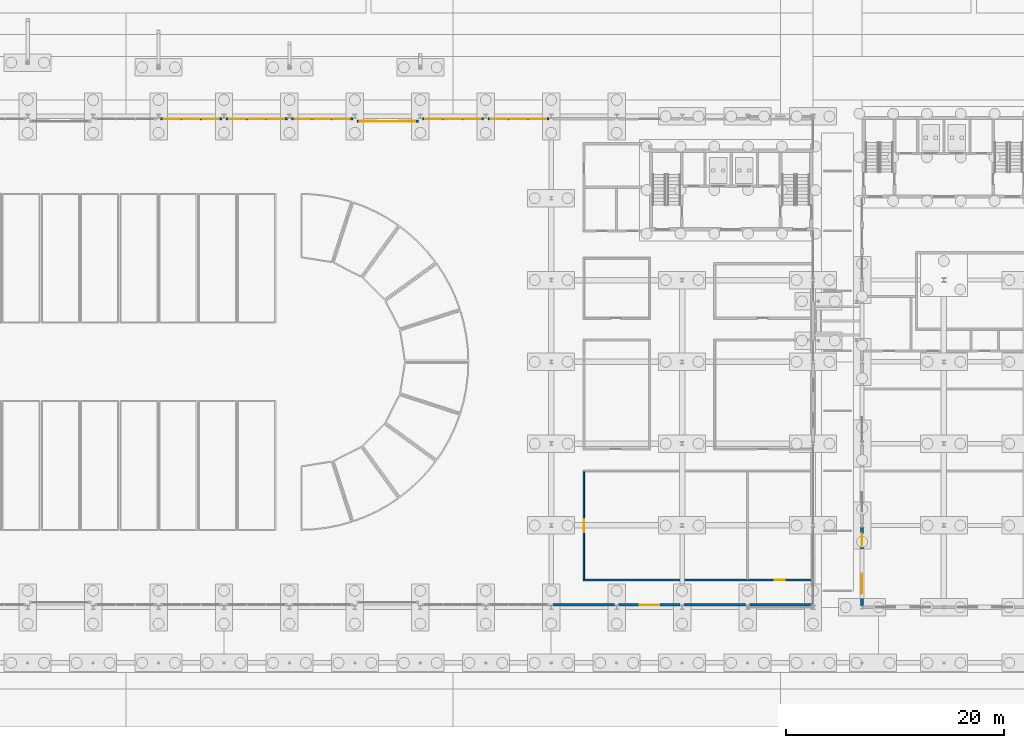
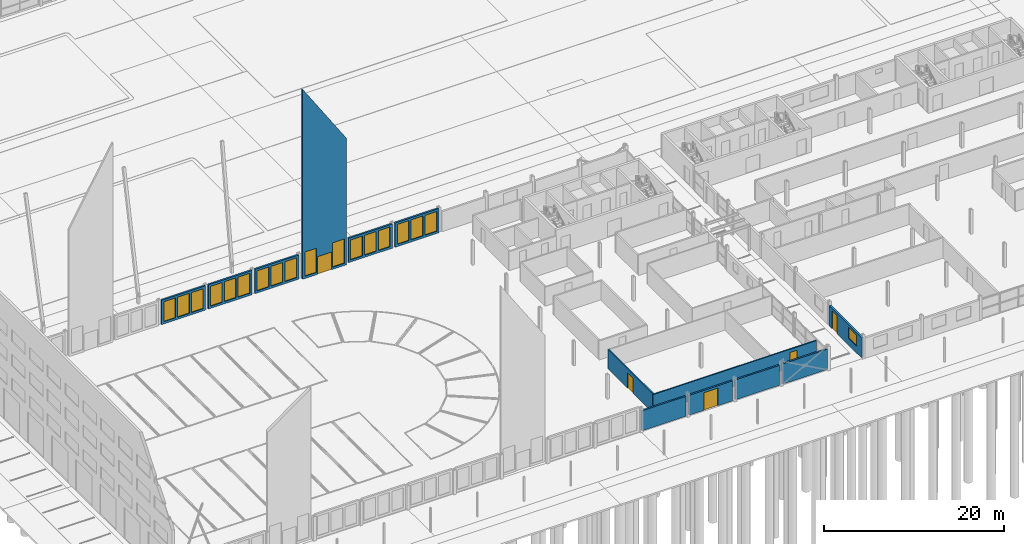
# One storey, part 79 of 130: 18 windows, 13 walls, 5 doors, 23 openings.
"""IFC4 building model written with IfcOpenShell, lengths in metres."""

from ifc_helpers import new_model, si_unit, direction, frame, frame_2d, origin, place, context, subcontext, project, spatial, polyline, rectangle, outline, extrude, material, layer, layer_set, type_object, element, fill, save


model = new_model("IFC4")

# Units and contexts
model_context = context("Model", 3, precision=1e-05, world=origin(), true_north=direction((0.0, 1.0)))
body_context = subcontext(model_context, "Body", "Model", "MODEL_VIEW")
ifc_project = project(units=[si_unit("LENGTHUNIT", "METRE"), si_unit("AREAUNIT", "SQUARE_METRE"), si_unit("VOLUMEUNIT", "CUBIC_METRE"), si_unit("PLANEANGLEUNIT", "RADIAN"), si_unit("MASSUNIT", "GRAM", prefix="KILO")], contexts=[model_context])

# Site, building, storey
site_placement = place(None, origin())
site = spatial("IfcSite", under=ifc_project, at=site_placement, CompositionType="ELEMENT")
building_placement = place(site_placement, origin())
building = spatial("IfcBuilding", under=site, at=building_placement, Name="Parallax Yard Mobility Hub", CompositionType="ELEMENT")
storey_placement = place(building_placement, origin())
storey = spatial("IfcBuildingStorey", under=building, at=storey_placement, Name="L00", CompositionType="ELEMENT", Elevation=0.0)

# Wall, openings, window, door
ifc_material_1 = material(Name="Concrete fc' 35 MPa", Category="concrete")
ifc_layer_1 = layer(ifc_material_1, 0.25)
ifc_layer_set_1 = layer_set([ifc_layer_1], Name="Exterior wall, Concrete fc' 35 MPa precast, 250 with insulation lining")
wall_type_1 = type_object("IfcWallType", Name="Exterior wall, Concrete fc' 35 MPa precast, 250 with insulation lining", PredefinedType="SOLIDWALL", material=ifc_layer_set_1)
wall_1_placement = place(storey_placement, frame((97.5, 7.653564453125, 0.0), z_axis=(0.0, 0.0, 1.0), x_axis=(0.0, 1.0, 0.0)))
wall_1 = element("IfcWall", 1, at=wall_1_placement, inside=storey, type_object=wall_type_1, Name="Mobility service centre and workshops west wall bay 1 level L00", PredefinedType="SOLIDWALL", context=body_context, shape_type="SweptSolid", body=[
    extrude(rectangle(XDim=7.19287109375, YDim=0.25, at=frame_2d((3.596435546875, 0.0))), origin(), (0.0, 0.0, 1.0), 2.7509765625),
])
opening_1_placement = place(wall_1_placement, frame((5.49658203125, 0.0, 0.0)))
opening_1 = element("IfcOpeningElement", 2, at=opening_1_placement, cuts=wall_1, Name="Opening L00-D120", PredefinedType="OPENING", context=body_context, shape_type="SweptSolid", body=[
    extrude(rectangle(XDim=1.10009765625, YDim=2.39990234375, at=frame_2d((0.550048828125, 1.199951171875))), frame((0.0, 0.135009765625, 0.0), z_axis=(0.0, -1.0, 0.0), x_axis=(1.0, 0.0, 0.0)), (0.0, 0.0, 1.0), 0.27001953125),
])
opening_2_placement = place(wall_1_placement, frame((1.09765625, 0.0, 0.89990234375)))
opening_2 = element("IfcOpeningElement", 3, at=opening_2_placement, cuts=wall_1, Name="Opening W5", PredefinedType="OPENING", context=body_context, shape_type="SweptSolid", body=[
    extrude(rectangle(XDim=1.800048828125, YDim=1.5, at=frame_2d((0.89990234375, 0.75))), frame((0.0, 0.135009765625, 0.0), z_axis=(0.0, -1.0, 0.0), x_axis=(1.0, 0.0, 0.0)), (0.0, 0.0, 1.0), 0.27001953125),
])
ifc_material_2 = material(Name="Double glazed low-E unit in thermally broken aluminium frame", Category="aluminium")
window_type_1 = type_object("IfcWindowType", Name="Laboratory window 1800 x 1500", PartitioningType="SINGLE_PANEL", PredefinedType="WINDOW", material=ifc_material_2)
window_1_placement = place(opening_2_placement, origin())
window_1 = element("IfcWindow", 4, at=window_1_placement, inside=storey, type_object=window_type_1, Name="Window W5 level L00", OverallHeight=1.5, OverallWidth=1.800048828125, PartitioningType="SINGLE_PANEL", PredefinedType="WINDOW", context=body_context, shape_type="SweptSolid", body=[
    extrude(rectangle(XDim=1.800048828125, YDim=1.5, at=frame_2d((0.89990234375, 0.75))), frame((0.0, 0.030029296875, 0.0), z_axis=(0.0, -1.0, 0.0), x_axis=(1.0, 0.0, 0.0)), (0.0, 0.0, 1.0), 0.06005859375),
])
fill(opening_2, window_1)
ifc_material_3 = material(Name="Insulated steel door leaf in steel frame", Category="steel")
door_type_1 = type_object("IfcDoorType", Name="Staff escape door 1100 x 2400", OperationType="NOTDEFINED", PredefinedType="DOOR", material=ifc_material_3)
door_1_placement = place(opening_1_placement, origin())
door_1 = element("IfcDoor", 5, at=door_1_placement, inside=storey, type_object=door_type_1, Name="Staff escape door L00-D120", OperationType="SINGLE_SWING_LEFT", OverallHeight=2.39990234375, OverallWidth=1.10009765625, PredefinedType="DOOR", context=body_context, shape_type="SweptSolid", body=[
    extrude(rectangle(XDim=1.10009765625, YDim=2.39990234375, at=frame_2d((0.550048828125, 1.199951171875))), frame((0.0, 0.02490234375, 0.0), z_axis=(0.0, -1.0, 0.0), x_axis=(1.0, 0.0, 0.0)), (0.0, 0.0, 1.0), 0.050048828125),
])
fill(opening_1, door_1)

# Wall
ifc_layer_2 = layer(ifc_material_1, 0.219970703125)
ifc_layer_set_2 = layer_set([ifc_layer_2], Name="Gable panel, Concrete fc' 35 MPa precast, 220")
wall_type_2 = type_object("IfcWallType", Name="Gable panel, Concrete fc' 35 MPa precast, 220", PredefinedType="SOLIDWALL", material=ifc_layer_set_2)
wall_2_placement = place(storey_placement, frame((69.1865234375, 7.72412109375, 0.0), z_axis=(0.0, 0.0, 1.0), x_axis=(1.0, 0.0, 0.0)))
element("IfcWall", 6, at=wall_2_placement, inside=storey, type_object=wall_type_2, Name="Bus and taxi deck south gable wall bay 11 level L00", PredefinedType="SOLIDWALL", context=body_context, shape_type="SweptSolid", body=[
    extrude(rectangle(XDim=5.626953125, YDim=0.219970703125, at=frame_2d((2.8134765625, 0.0))), origin(), (0.0, 0.0, 1.0), 2.7099609375),
])

# Wall, opening, door
wall_3_placement = place(storey_placement, frame((75.1865234375, 7.72412109375, 0.0), z_axis=(0.0, 0.0, 1.0), x_axis=(1.0, 0.0, 0.0)))
wall_3 = element("IfcWall", 7, at=wall_3_placement, inside=storey, type_object=wall_type_2, Name="Bus and taxi deck south gable wall bay 12 level L00", PredefinedType="SOLIDWALL", context=body_context, shape_type="SweptSolid", body=[
    extrude(rectangle(XDim=5.626953125, YDim=0.219970703125, at=frame_2d((2.8134765625, 0.0))), origin(), (0.0, 0.0, 1.0), 2.7099609375),
])
opening_3_placement = place(wall_3_placement, frame((1.91357421875, 0.0, 0.0)))
opening_3 = element("IfcOpeningElement", 8, at=opening_3_placement, cuts=wall_3, Name="Opening L00-D103", PredefinedType="OPENING", context=body_context, shape_type="SweptSolid", body=[
    extrude(rectangle(XDim=1.800048828125, YDim=2.39990234375, at=frame_2d((0.89990234375, 1.199951171875))), frame((0.0, 0.1201171875, 0.0), z_axis=(0.0, -1.0, 0.0), x_axis=(1.0, 0.0, 0.0)), (0.0, 0.0, 1.0), 0.239990234375),
])
ifc_material_4 = material(Name="Aluminium frame with laminated glass leaves", Category="aluminium")
door_type_2 = type_object("IfcDoorType", Name="Entrance door double 1800 x 2400", OperationType="DOUBLE_DOOR_SINGLE_SWING", PredefinedType="DOOR", material=ifc_material_4)
door_2_placement = place(opening_3_placement, origin())
door_2 = element("IfcDoor", 9, at=door_2_placement, inside=storey, type_object=door_type_2, Name="Entrance door L00-D103", OperationType="DOUBLE_DOOR_SINGLE_SWING", OverallHeight=2.39990234375, OverallWidth=1.800048828125, PredefinedType="DOOR", context=body_context, shape_type="SweptSolid", body=[
    extrude(rectangle(XDim=1.800048828125, YDim=2.39990234375, at=frame_2d((0.89990234375, 1.199951171875))), frame((0.0, 0.02490234375, 0.0), z_axis=(0.0, -1.0, 0.0), x_axis=(1.0, 0.0, 0.0)), (0.0, 0.0, 1.0), 0.050048828125),
])
fill(opening_3, door_2)

# Walls
wall_4_placement = place(storey_placement, frame((81.1865234375, 7.72412109375, 0.0), z_axis=(0.0, 0.0, 1.0), x_axis=(1.0, 0.0, 0.0)))
element("IfcWall", 10, at=wall_4_placement, inside=storey, type_object=wall_type_2, Name="Bus and taxi deck south gable wall bay 13 level L00", PredefinedType="SOLIDWALL", context=body_context, shape_type="SweptSolid", body=[
    extrude(rectangle(XDim=5.626953125, YDim=0.219970703125, at=frame_2d((2.8134765625, 0.0))), origin(), (0.0, 0.0, 1.0), 2.7099609375),
])
wall_5_placement = place(storey_placement, frame((87.1865234375, 7.72900390625, 0.0), z_axis=(0.0, 0.0, 1.0), x_axis=(1.0, 0.0, 0.0)))
element("IfcWall", 11, at=wall_5_placement, inside=storey, type_object=wall_type_2, Name="Bus and taxi deck south gable wall bay 14 level L00", PredefinedType="SOLIDWALL", context=body_context, shape_type="SweptSolid", body=[
    extrude(rectangle(XDim=5.783447265625, YDim=0.219970703125, at=frame_2d((2.8916015625, 0.0))), origin(), (0.0, 0.0, 1.0), 2.75390625),
])

# Wall, openings, windows
wall_6_placement = place(storey_placement, frame((33.1865234375, 52.27587890625, 0.0), z_axis=(0.0, 0.0, 1.0), x_axis=(1.0, 0.0, 0.0)))
wall_6 = element("IfcWall", 12, at=wall_6_placement, inside=storey, type_object=wall_type_2, Name="Bus and taxi deck north gable wall bay 5 level L00", PredefinedType="SOLIDWALL", context=body_context, shape_type="SweptSolid", body=[
    extrude(rectangle(XDim=5.626953125, YDim=0.219970703125, at=frame_2d((2.8134765625, 0.0))), origin(), (0.0, 0.0, 1.0), 3.300048828125),
])
opening_4_placement = place(wall_6_placement, frame((0.28173828125, 0.0, 0.300048828125)))
opening_4 = element("IfcOpeningElement", 13, at=opening_4_placement, cuts=wall_6, Name="Opening LV8", PredefinedType="OPENING", context=body_context, shape_type="SweptSolid", body=[
    extrude(rectangle(XDim=1.5, YDim=2.699951171875, at=frame_2d((0.75, 1.35009765625))), frame((0.0, 0.1201171875, 0.0), z_axis=(0.0, -1.0, 0.0), x_axis=(1.0, 0.0, 0.0)), (0.0, 0.0, 1.0), 0.239990234375),
])
opening_5_placement = place(wall_6_placement, frame((2.0634765625, 0.0, 0.300048828125)))
opening_5 = element("IfcOpeningElement", 14, at=opening_5_placement, cuts=wall_6, Name="Opening LV8", PredefinedType="OPENING", context=body_context, shape_type="SweptSolid", body=[
    extrude(rectangle(XDim=1.5, YDim=2.699951171875, at=frame_2d((0.75, 1.35009765625))), frame((0.0, 0.1201171875, 0.0), z_axis=(0.0, -1.0, 0.0), x_axis=(1.0, 0.0, 0.0)), (0.0, 0.0, 1.0), 0.239990234375),
])
opening_6_placement = place(wall_6_placement, frame((3.84521484375, 0.0, 0.300048828125)))
opening_6 = element("IfcOpeningElement", 15, at=opening_6_placement, cuts=wall_6, Name="Opening LV8", PredefinedType="OPENING", context=body_context, shape_type="SweptSolid", body=[
    extrude(rectangle(XDim=1.5, YDim=2.699951171875, at=frame_2d((0.75, 1.35009765625))), frame((0.0, 0.1201171875, 0.0), z_axis=(0.0, -1.0, 0.0), x_axis=(1.0, 0.0, 0.0)), (0.0, 0.0, 1.0), 0.239990234375),
])
ifc_material_5 = material(Name="Extruded aluminium storm louvre blades in a powder-coated frame", Category="aluminium")
window_type_2 = type_object("IfcWindowType", Name="Storm louvre 1500 x 2700", PartitioningType="SINGLE_PANEL", PredefinedType="WINDOW", material=ifc_material_5)
window_2_placement = place(opening_4_placement, origin())
window_2 = element("IfcWindow", 16, at=window_2_placement, inside=storey, type_object=window_type_2, Name="LV8 louvre level L00", OverallHeight=2.699951171875, OverallWidth=1.5, PartitioningType="SINGLE_PANEL", PredefinedType="WINDOW", context=body_context, shape_type="SweptSolid", body=[
    extrude(rectangle(XDim=1.5, YDim=2.699951171875, at=frame_2d((0.75, 1.35009765625))), frame((0.0, 0.030029296875, 0.0), z_axis=(0.0, -1.0, 0.0), x_axis=(1.0, 0.0, 0.0)), (0.0, 0.0, 1.0), 0.06005859375),
])
fill(opening_4, window_2)
window_3_placement = place(opening_5_placement, origin())
window_3 = element("IfcWindow", 17, at=window_3_placement, inside=storey, type_object=window_type_2, Name="LV8 louvre level L00", OverallHeight=2.699951171875, OverallWidth=1.5, PartitioningType="SINGLE_PANEL", PredefinedType="WINDOW", context=body_context, shape_type="SweptSolid", body=[
    extrude(rectangle(XDim=1.5, YDim=2.699951171875, at=frame_2d((0.75, 1.35009765625))), frame((0.0, 0.030029296875, 0.0), z_axis=(0.0, -1.0, 0.0), x_axis=(1.0, 0.0, 0.0)), (0.0, 0.0, 1.0), 0.06005859375),
])
fill(opening_5, window_3)
window_4_placement = place(opening_6_placement, origin())
window_4 = element("IfcWindow", 18, at=window_4_placement, inside=storey, type_object=window_type_2, Name="LV8 louvre level L00", OverallHeight=2.699951171875, OverallWidth=1.5, PartitioningType="SINGLE_PANEL", PredefinedType="WINDOW", context=body_context, shape_type="SweptSolid", body=[
    extrude(rectangle(XDim=1.5, YDim=2.699951171875, at=frame_2d((0.75, 1.35009765625))), frame((0.0, 0.030029296875, 0.0), z_axis=(0.0, -1.0, 0.0), x_axis=(1.0, 0.0, 0.0)), (0.0, 0.0, 1.0), 0.06005859375),
])
fill(opening_6, window_4)

wall_7_placement = place(storey_placement, frame((39.1865234375, 52.27587890625, 0.0), z_axis=(0.0, 0.0, 1.0), x_axis=(1.0, 0.0, 0.0)))
wall_7 = element("IfcWall", 19, at=wall_7_placement, inside=storey, type_object=wall_type_2, Name="Bus and taxi deck north gable wall bay 6 level L00", PredefinedType="SOLIDWALL", context=body_context, shape_type="SweptSolid", body=[
    extrude(rectangle(XDim=5.626953125, YDim=0.219970703125, at=frame_2d((2.8134765625, 0.0))), origin(), (0.0, 0.0, 1.0), 3.300048828125),
])
opening_7_placement = place(wall_7_placement, frame((0.28173828125, 0.0, 0.300048828125)))
opening_7 = element("IfcOpeningElement", 20, at=opening_7_placement, cuts=wall_7, Name="Opening LV8", PredefinedType="OPENING", context=body_context, shape_type="SweptSolid", body=[
    extrude(rectangle(XDim=1.5, YDim=2.699951171875, at=frame_2d((0.75, 1.35009765625))), frame((0.0, 0.1201171875, 0.0), z_axis=(0.0, -1.0, 0.0), x_axis=(1.0, 0.0, 0.0)), (0.0, 0.0, 1.0), 0.239990234375),
])
opening_8_placement = place(wall_7_placement, frame((2.0634765625, 0.0, 0.300048828125)))
opening_8 = element("IfcOpeningElement", 21, at=opening_8_placement, cuts=wall_7, Name="Opening LV8", PredefinedType="OPENING", context=body_context, shape_type="SweptSolid", body=[
    extrude(rectangle(XDim=1.5, YDim=2.699951171875, at=frame_2d((0.75, 1.35009765625))), frame((0.0, 0.1201171875, 0.0), z_axis=(0.0, -1.0, 0.0), x_axis=(1.0, 0.0, 0.0)), (0.0, 0.0, 1.0), 0.239990234375),
])
opening_9_placement = place(wall_7_placement, frame((3.84521484375, 0.0, 0.300048828125)))
opening_9 = element("IfcOpeningElement", 22, at=opening_9_placement, cuts=wall_7, Name="Opening LV8", PredefinedType="OPENING", context=body_context, shape_type="SweptSolid", body=[
    extrude(rectangle(XDim=1.5, YDim=2.699951171875, at=frame_2d((0.75, 1.35009765625))), frame((0.0, 0.1201171875, 0.0), z_axis=(0.0, -1.0, 0.0), x_axis=(1.0, 0.0, 0.0)), (0.0, 0.0, 1.0), 0.239990234375),
])
window_5_placement = place(opening_7_placement, origin())
window_5 = element("IfcWindow", 23, at=window_5_placement, inside=storey, type_object=window_type_2, Name="LV8 louvre level L00", OverallHeight=2.699951171875, OverallWidth=1.5, PartitioningType="SINGLE_PANEL", PredefinedType="WINDOW", context=body_context, shape_type="SweptSolid", body=[
    extrude(rectangle(XDim=1.5, YDim=2.699951171875, at=frame_2d((0.75, 1.35009765625))), frame((0.0, 0.030029296875, 0.0), z_axis=(0.0, -1.0, 0.0), x_axis=(1.0, 0.0, 0.0)), (0.0, 0.0, 1.0), 0.06005859375),
])
fill(opening_7, window_5)
window_6_placement = place(opening_8_placement, origin())
window_6 = element("IfcWindow", 24, at=window_6_placement, inside=storey, type_object=window_type_2, Name="LV8 louvre level L00", OverallHeight=2.699951171875, OverallWidth=1.5, PartitioningType="SINGLE_PANEL", PredefinedType="WINDOW", context=body_context, shape_type="SweptSolid", body=[
    extrude(rectangle(XDim=1.5, YDim=2.699951171875, at=frame_2d((0.75, 1.35009765625))), frame((0.0, 0.030029296875, 0.0), z_axis=(0.0, -1.0, 0.0), x_axis=(1.0, 0.0, 0.0)), (0.0, 0.0, 1.0), 0.06005859375),
])
fill(opening_8, window_6)
window_7_placement = place(opening_9_placement, origin())
window_7 = element("IfcWindow", 25, at=window_7_placement, inside=storey, type_object=window_type_2, Name="LV8 louvre level L00", OverallHeight=2.699951171875, OverallWidth=1.5, PartitioningType="SINGLE_PANEL", PredefinedType="WINDOW", context=body_context, shape_type="SweptSolid", body=[
    extrude(rectangle(XDim=1.5, YDim=2.699951171875, at=frame_2d((0.75, 1.35009765625))), frame((0.0, 0.030029296875, 0.0), z_axis=(0.0, -1.0, 0.0), x_axis=(1.0, 0.0, 0.0)), (0.0, 0.0, 1.0), 0.06005859375),
])
fill(opening_9, window_7)

wall_8_placement = place(storey_placement, frame((45.1865234375, 52.27587890625, 0.0), z_axis=(0.0, 0.0, 1.0), x_axis=(1.0, 0.0, 0.0)))
wall_8 = element("IfcWall", 26, at=wall_8_placement, inside=storey, type_object=wall_type_2, Name="Bus and taxi deck north gable wall bay 7 level L00", PredefinedType="SOLIDWALL", context=body_context, shape_type="SweptSolid", body=[
    extrude(rectangle(XDim=5.626953125, YDim=0.219970703125, at=frame_2d((2.8134765625, 0.0))), origin(), (0.0, 0.0, 1.0), 3.300048828125),
])
opening_10_placement = place(wall_8_placement, frame((0.28173828125, 0.0, 0.300048828125)))
opening_10 = element("IfcOpeningElement", 27, at=opening_10_placement, cuts=wall_8, Name="Opening LV8", PredefinedType="OPENING", context=body_context, shape_type="SweptSolid", body=[
    extrude(rectangle(XDim=1.5, YDim=2.699951171875, at=frame_2d((0.75, 1.35009765625))), frame((0.0, 0.1201171875, 0.0), z_axis=(0.0, -1.0, 0.0), x_axis=(1.0, 0.0, 0.0)), (0.0, 0.0, 1.0), 0.239990234375),
])
opening_11_placement = place(wall_8_placement, frame((2.0634765625, 0.0, 0.300048828125)))
opening_11 = element("IfcOpeningElement", 28, at=opening_11_placement, cuts=wall_8, Name="Opening LV8", PredefinedType="OPENING", context=body_context, shape_type="SweptSolid", body=[
    extrude(rectangle(XDim=1.5, YDim=2.699951171875, at=frame_2d((0.75, 1.35009765625))), frame((0.0, 0.1201171875, 0.0), z_axis=(0.0, -1.0, 0.0), x_axis=(1.0, 0.0, 0.0)), (0.0, 0.0, 1.0), 0.239990234375),
])
opening_12_placement = place(wall_8_placement, frame((3.84521484375, 0.0, 0.300048828125)))
opening_12 = element("IfcOpeningElement", 29, at=opening_12_placement, cuts=wall_8, Name="Opening LV8", PredefinedType="OPENING", context=body_context, shape_type="SweptSolid", body=[
    extrude(rectangle(XDim=1.5, YDim=2.699951171875, at=frame_2d((0.75, 1.35009765625))), frame((0.0, 0.1201171875, 0.0), z_axis=(0.0, -1.0, 0.0), x_axis=(1.0, 0.0, 0.0)), (0.0, 0.0, 1.0), 0.239990234375),
])
window_8_placement = place(opening_10_placement, origin())
window_8 = element("IfcWindow", 30, at=window_8_placement, inside=storey, type_object=window_type_2, Name="LV8 louvre level L00", OverallHeight=2.699951171875, OverallWidth=1.5, PartitioningType="SINGLE_PANEL", PredefinedType="WINDOW", context=body_context, shape_type="SweptSolid", body=[
    extrude(rectangle(XDim=1.5, YDim=2.699951171875, at=frame_2d((0.75, 1.35009765625))), frame((0.0, 0.030029296875, 0.0), z_axis=(0.0, -1.0, 0.0), x_axis=(1.0, 0.0, 0.0)), (0.0, 0.0, 1.0), 0.06005859375),
])
fill(opening_10, window_8)
window_9_placement = place(opening_11_placement, origin())
window_9 = element("IfcWindow", 31, at=window_9_placement, inside=storey, type_object=window_type_2, Name="LV8 louvre level L00", OverallHeight=2.699951171875, OverallWidth=1.5, PartitioningType="SINGLE_PANEL", PredefinedType="WINDOW", context=body_context, shape_type="SweptSolid", body=[
    extrude(rectangle(XDim=1.5, YDim=2.699951171875, at=frame_2d((0.75, 1.35009765625))), frame((0.0, 0.030029296875, 0.0), z_axis=(0.0, -1.0, 0.0), x_axis=(1.0, 0.0, 0.0)), (0.0, 0.0, 1.0), 0.06005859375),
])
fill(opening_11, window_9)
window_10_placement = place(opening_12_placement, origin())
window_10 = element("IfcWindow", 32, at=window_10_placement, inside=storey, type_object=window_type_2, Name="LV8 louvre level L00", OverallHeight=2.699951171875, OverallWidth=1.5, PartitioningType="SINGLE_PANEL", PredefinedType="WINDOW", context=body_context, shape_type="SweptSolid", body=[
    extrude(rectangle(XDim=1.5, YDim=2.699951171875, at=frame_2d((0.75, 1.35009765625))), frame((0.0, 0.030029296875, 0.0), z_axis=(0.0, -1.0, 0.0), x_axis=(1.0, 0.0, 0.0)), (0.0, 0.0, 1.0), 0.06005859375),
])
fill(opening_12, window_10)

# Wall, openings, door, windows
wall_9_placement = place(storey_placement, frame((51.1865234375, 52.0517578125, 0.0), z_axis=(0.0, 0.0, 1.0), x_axis=(1.0, 0.0, 0.0)))
wall_9 = element("IfcWall", 33, at=wall_9_placement, inside=storey, type_object=wall_type_2, Name="Bus and taxi deck north gable wall bay 8 level L00", PredefinedType="SOLIDWALL", context=body_context, shape_type="SweptSolid", body=[
    extrude(outline(polyline([(0.0, 0.0), (5.626953125, 0.0), (5.626953125, 17.163330078125), (4.89306640625, 18.285888671875), (4.6484375, 18.660400390625), (3.914306640625, 19.782958984375), (3.669921875, 20.1572265625), (2.691162109375, 21.654052734375), (2.446533203125, 22.0283203125), (1.712646484375, 23.15087890625), (1.468017578125, 23.525146484375), (0.4892578125, 25.02197265625), (0.24462890625, 25.396240234375), (0.0, 25.7705078125), (0.0, 0.0)])), frame((0.0, 0.10986328125, 0.0), z_axis=(0.0, -1.0, 0.0), x_axis=(1.0, 0.0, 0.0)), (0.0, 0.0, 1.0), 0.219970703125),
])
opening_13_placement = place(wall_9_placement, frame((1.91357421875, 0.0, 0.0)))
opening_13 = element("IfcOpeningElement", 34, at=opening_13_placement, cuts=wall_9, Name="Opening L00-D105", PredefinedType="OPENING", context=body_context, shape_type="SweptSolid", body=[
    extrude(rectangle(XDim=1.800048828125, YDim=2.39990234375, at=frame_2d((0.89990234375, 1.199951171875))), frame((0.0, 0.1201171875, 0.0), z_axis=(0.0, -1.0, 0.0), x_axis=(1.0, 0.0, 0.0)), (0.0, 0.0, 1.0), 0.239990234375),
])
opening_14_placement = place(wall_9_placement, frame((0.28173828125, 0.0, 0.300048828125)))
opening_14 = element("IfcOpeningElement", 35, at=opening_14_placement, cuts=wall_9, Name="Opening LV1", PredefinedType="OPENING", context=body_context, shape_type="SweptSolid", body=[
    extrude(rectangle(XDim=1.5, YDim=3.300048828125, at=frame_2d((0.75, 1.64990234375))), frame((0.0, 0.1201171875, 0.0), z_axis=(0.0, -1.0, 0.0), x_axis=(1.0, 0.0, 0.0)), (0.0, 0.0, 1.0), 0.239990234375),
])
opening_15_placement = place(wall_9_placement, frame((3.84521484375, 0.0, 0.300048828125)))
opening_15 = element("IfcOpeningElement", 36, at=opening_15_placement, cuts=wall_9, Name="Opening LV1", PredefinedType="OPENING", context=body_context, shape_type="SweptSolid", body=[
    extrude(rectangle(XDim=1.5, YDim=3.300048828125, at=frame_2d((0.75, 1.64990234375))), frame((0.0, 0.1201171875, 0.0), z_axis=(0.0, -1.0, 0.0), x_axis=(1.0, 0.0, 0.0)), (0.0, 0.0, 1.0), 0.239990234375),
])
door_3_placement = place(opening_13_placement, origin())
door_3 = element("IfcDoor", 37, at=door_3_placement, inside=storey, type_object=door_type_2, Name="Entrance door L00-D105", OperationType="DOUBLE_DOOR_SINGLE_SWING", OverallHeight=2.39990234375, OverallWidth=1.800048828125, PredefinedType="DOOR", context=body_context, shape_type="SweptSolid", body=[
    extrude(rectangle(XDim=1.800048828125, YDim=2.39990234375, at=frame_2d((0.89990234375, 1.199951171875))), frame((0.0, 0.02490234375, 0.0), z_axis=(0.0, -1.0, 0.0), x_axis=(1.0, 0.0, 0.0)), (0.0, 0.0, 1.0), 0.050048828125),
])
fill(opening_13, door_3)
window_type_3 = type_object("IfcWindowType", Name="Storm louvre 1500 x 3300", PartitioningType="SINGLE_PANEL", PredefinedType="WINDOW", material=ifc_material_5)
window_11_placement = place(opening_14_placement, origin())
window_11 = element("IfcWindow", 38, at=window_11_placement, inside=storey, type_object=window_type_3, Name="LV1 louvre level L00", OverallHeight=3.300048828125, OverallWidth=1.5, PartitioningType="SINGLE_PANEL", PredefinedType="WINDOW", context=body_context, shape_type="SweptSolid", body=[
    extrude(rectangle(XDim=1.5, YDim=3.300048828125, at=frame_2d((0.75, 1.64990234375))), frame((0.0, 0.030029296875, 0.0), z_axis=(0.0, -1.0, 0.0), x_axis=(1.0, 0.0, 0.0)), (0.0, 0.0, 1.0), 0.06005859375),
])
fill(opening_14, window_11)
window_12_placement = place(opening_15_placement, origin())
window_12 = element("IfcWindow", 39, at=window_12_placement, inside=storey, type_object=window_type_3, Name="LV1 louvre level L00", OverallHeight=3.300048828125, OverallWidth=1.5, PartitioningType="SINGLE_PANEL", PredefinedType="WINDOW", context=body_context, shape_type="SweptSolid", body=[
    extrude(rectangle(XDim=1.5, YDim=3.300048828125, at=frame_2d((0.75, 1.64990234375))), frame((0.0, 0.030029296875, 0.0), z_axis=(0.0, -1.0, 0.0), x_axis=(1.0, 0.0, 0.0)), (0.0, 0.0, 1.0), 0.06005859375),
])
fill(opening_15, window_12)

# Wall, openings, windows
wall_10_placement = place(storey_placement, frame((57.1865234375, 52.27587890625, 0.0), z_axis=(0.0, 0.0, 1.0), x_axis=(1.0, 0.0, 0.0)))
wall_10 = element("IfcWall", 40, at=wall_10_placement, inside=storey, type_object=wall_type_2, Name="Bus and taxi deck north gable wall bay 9 level L00", PredefinedType="SOLIDWALL", context=body_context, shape_type="SweptSolid", body=[
    extrude(rectangle(XDim=5.626953125, YDim=0.219970703125, at=frame_2d((2.8134765625, 0.0))), origin(), (0.0, 0.0, 1.0), 3.300048828125),
])
opening_16_placement = place(wall_10_placement, frame((0.28173828125, 0.0, 0.300048828125)))
opening_16 = element("IfcOpeningElement", 41, at=opening_16_placement, cuts=wall_10, Name="Opening LV8", PredefinedType="OPENING", context=body_context, shape_type="SweptSolid", body=[
    extrude(rectangle(XDim=1.5, YDim=2.699951171875, at=frame_2d((0.75, 1.35009765625))), frame((0.0, 0.1201171875, 0.0), z_axis=(0.0, -1.0, 0.0), x_axis=(1.0, 0.0, 0.0)), (0.0, 0.0, 1.0), 0.239990234375),
])
opening_17_placement = place(wall_10_placement, frame((2.0634765625, 0.0, 0.300048828125)))
opening_17 = element("IfcOpeningElement", 42, at=opening_17_placement, cuts=wall_10, Name="Opening LV8", PredefinedType="OPENING", context=body_context, shape_type="SweptSolid", body=[
    extrude(rectangle(XDim=1.5, YDim=2.699951171875, at=frame_2d((0.75, 1.35009765625))), frame((0.0, 0.1201171875, 0.0), z_axis=(0.0, -1.0, 0.0), x_axis=(1.0, 0.0, 0.0)), (0.0, 0.0, 1.0), 0.239990234375),
])
opening_18_placement = place(wall_10_placement, frame((3.84521484375, 0.0, 0.300048828125)))
opening_18 = element("IfcOpeningElement", 43, at=opening_18_placement, cuts=wall_10, Name="Opening LV8", PredefinedType="OPENING", context=body_context, shape_type="SweptSolid", body=[
    extrude(rectangle(XDim=1.5, YDim=2.699951171875, at=frame_2d((0.75, 1.35009765625))), frame((0.0, 0.1201171875, 0.0), z_axis=(0.0, -1.0, 0.0), x_axis=(1.0, 0.0, 0.0)), (0.0, 0.0, 1.0), 0.239990234375),
])
window_13_placement = place(opening_16_placement, origin())
window_13 = element("IfcWindow", 44, at=window_13_placement, inside=storey, type_object=window_type_2, Name="LV8 louvre level L00", OverallHeight=2.699951171875, OverallWidth=1.5, PartitioningType="SINGLE_PANEL", PredefinedType="WINDOW", context=body_context, shape_type="SweptSolid", body=[
    extrude(rectangle(XDim=1.5, YDim=2.699951171875, at=frame_2d((0.75, 1.35009765625))), frame((0.0, 0.030029296875, 0.0), z_axis=(0.0, -1.0, 0.0), x_axis=(1.0, 0.0, 0.0)), (0.0, 0.0, 1.0), 0.06005859375),
])
fill(opening_16, window_13)
window_14_placement = place(opening_17_placement, origin())
window_14 = element("IfcWindow", 45, at=window_14_placement, inside=storey, type_object=window_type_2, Name="LV8 louvre level L00", OverallHeight=2.699951171875, OverallWidth=1.5, PartitioningType="SINGLE_PANEL", PredefinedType="WINDOW", context=body_context, shape_type="SweptSolid", body=[
    extrude(rectangle(XDim=1.5, YDim=2.699951171875, at=frame_2d((0.75, 1.35009765625))), frame((0.0, 0.030029296875, 0.0), z_axis=(0.0, -1.0, 0.0), x_axis=(1.0, 0.0, 0.0)), (0.0, 0.0, 1.0), 0.06005859375),
])
fill(opening_17, window_14)
window_15_placement = place(opening_18_placement, origin())
window_15 = element("IfcWindow", 46, at=window_15_placement, inside=storey, type_object=window_type_2, Name="LV8 louvre level L00", OverallHeight=2.699951171875, OverallWidth=1.5, PartitioningType="SINGLE_PANEL", PredefinedType="WINDOW", context=body_context, shape_type="SweptSolid", body=[
    extrude(rectangle(XDim=1.5, YDim=2.699951171875, at=frame_2d((0.75, 1.35009765625))), frame((0.0, 0.030029296875, 0.0), z_axis=(0.0, -1.0, 0.0), x_axis=(1.0, 0.0, 0.0)), (0.0, 0.0, 1.0), 0.06005859375),
])
fill(opening_18, window_15)

wall_11_placement = place(storey_placement, frame((63.1865234375, 52.27587890625, 0.0), z_axis=(0.0, 0.0, 1.0), x_axis=(1.0, 0.0, 0.0)))
wall_11 = element("IfcWall", 47, at=wall_11_placement, inside=storey, type_object=wall_type_2, Name="Bus and taxi deck north gable wall bay 10 level L00", PredefinedType="SOLIDWALL", context=body_context, shape_type="SweptSolid", body=[
    extrude(rectangle(XDim=5.626953125, YDim=0.219970703125, at=frame_2d((2.8134765625, 0.0))), origin(), (0.0, 0.0, 1.0), 3.300048828125),
])
opening_19_placement = place(wall_11_placement, frame((0.28173828125, 0.0, 0.300048828125)))
opening_19 = element("IfcOpeningElement", 48, at=opening_19_placement, cuts=wall_11, Name="Opening LV8", PredefinedType="OPENING", context=body_context, shape_type="SweptSolid", body=[
    extrude(rectangle(XDim=1.5, YDim=2.699951171875, at=frame_2d((0.75, 1.35009765625))), frame((0.0, 0.1201171875, 0.0), z_axis=(0.0, -1.0, 0.0), x_axis=(1.0, 0.0, 0.0)), (0.0, 0.0, 1.0), 0.239990234375),
])
opening_20_placement = place(wall_11_placement, frame((2.0634765625, 0.0, 0.300048828125)))
opening_20 = element("IfcOpeningElement", 49, at=opening_20_placement, cuts=wall_11, Name="Opening LV8", PredefinedType="OPENING", context=body_context, shape_type="SweptSolid", body=[
    extrude(rectangle(XDim=1.5, YDim=2.699951171875, at=frame_2d((0.75, 1.35009765625))), frame((0.0, 0.1201171875, 0.0), z_axis=(0.0, -1.0, 0.0), x_axis=(1.0, 0.0, 0.0)), (0.0, 0.0, 1.0), 0.239990234375),
])
opening_21_placement = place(wall_11_placement, frame((3.84521484375, 0.0, 0.300048828125)))
opening_21 = element("IfcOpeningElement", 50, at=opening_21_placement, cuts=wall_11, Name="Opening LV8", PredefinedType="OPENING", context=body_context, shape_type="SweptSolid", body=[
    extrude(rectangle(XDim=1.5, YDim=2.699951171875, at=frame_2d((0.75, 1.35009765625))), frame((0.0, 0.1201171875, 0.0), z_axis=(0.0, -1.0, 0.0), x_axis=(1.0, 0.0, 0.0)), (0.0, 0.0, 1.0), 0.239990234375),
])
window_16_placement = place(opening_19_placement, origin())
window_16 = element("IfcWindow", 51, at=window_16_placement, inside=storey, type_object=window_type_2, Name="LV8 louvre level L00", OverallHeight=2.699951171875, OverallWidth=1.5, PartitioningType="SINGLE_PANEL", PredefinedType="WINDOW", context=body_context, shape_type="SweptSolid", body=[
    extrude(rectangle(XDim=1.5, YDim=2.699951171875, at=frame_2d((0.75, 1.35009765625))), frame((0.0, 0.030029296875, 0.0), z_axis=(0.0, -1.0, 0.0), x_axis=(1.0, 0.0, 0.0)), (0.0, 0.0, 1.0), 0.06005859375),
])
fill(opening_19, window_16)
window_17_placement = place(opening_20_placement, origin())
window_17 = element("IfcWindow", 52, at=window_17_placement, inside=storey, type_object=window_type_2, Name="LV8 louvre level L00", OverallHeight=2.699951171875, OverallWidth=1.5, PartitioningType="SINGLE_PANEL", PredefinedType="WINDOW", context=body_context, shape_type="SweptSolid", body=[
    extrude(rectangle(XDim=1.5, YDim=2.699951171875, at=frame_2d((0.75, 1.35009765625))), frame((0.0, 0.030029296875, 0.0), z_axis=(0.0, -1.0, 0.0), x_axis=(1.0, 0.0, 0.0)), (0.0, 0.0, 1.0), 0.06005859375),
])
fill(opening_20, window_17)
window_18_placement = place(opening_21_placement, origin())
window_18 = element("IfcWindow", 53, at=window_18_placement, inside=storey, type_object=window_type_2, Name="LV8 louvre level L00", OverallHeight=2.699951171875, OverallWidth=1.5, PartitioningType="SINGLE_PANEL", PredefinedType="WINDOW", context=body_context, shape_type="SweptSolid", body=[
    extrude(rectangle(XDim=1.5, YDim=2.699951171875, at=frame_2d((0.75, 1.35009765625))), frame((0.0, 0.030029296875, 0.0), z_axis=(0.0, -1.0, 0.0), x_axis=(1.0, 0.0, 0.0)), (0.0, 0.0, 1.0), 0.06005859375),
])
fill(opening_21, window_18)

# Wall, opening, door
ifc_material_6 = material(Name="Plasterboard partition on light framing")
ifc_layer_3 = layer(ifc_material_6, 0.14990234375)
ifc_layer_set_3 = layer_set([ifc_layer_3], Name="Partition 150 mm")
wall_type_3 = type_object("IfcWallType", Name="Partition 150 mm", PredefinedType="PARTITIONING", material=ifc_layer_set_3)
wall_12_placement = place(storey_placement, frame((71.925048828125, 10.0, 0.0), z_axis=(0.0, 0.0, 1.0), x_axis=(1.0, 0.0, 0.0)))
wall_12 = element("IfcWall", 54, at=wall_12_placement, inside=storey, type_object=wall_type_3, Name="Partition 1 level L00", PredefinedType="PARTITIONING", context=body_context, shape_type="SweptSolid", body=[
    extrude(rectangle(XDim=21.0, YDim=0.14990234375, at=frame_2d((10.5, 0.0))), origin(), (0.0, 0.0, 1.0), 2.548095703125),
])
opening_22_placement = place(wall_12_placement, frame((17.587890625, 0.0, 0.0)))
opening_22 = element("IfcOpeningElement", 55, at=opening_22_placement, cuts=wall_12, Name="Opening L00-D200", PredefinedType="OPENING", context=body_context, shape_type="SweptSolid", body=[
    extrude(rectangle(XDim=0.89990234375, YDim=2.10009765625, at=frame_2d((0.449951171875, 1.050048828125))), frame((0.0, 0.0849609375, 0.0), z_axis=(0.0, -1.0, 0.0), x_axis=(1.0, 0.0, 0.0)), (0.0, 0.0, 1.0), 0.169921875),
])
ifc_material_7 = material(Name="Solid timber door leaf", Category="wood")
door_type_3 = type_object("IfcDoorType", Name="Interior door 900 mm", OperationType="NOTDEFINED", PredefinedType="DOOR", material=ifc_material_7)
door_4_placement = place(opening_22_placement, origin())
door_4 = element("IfcDoor", 56, at=door_4_placement, inside=storey, type_object=door_type_3, Name="Door L00-D200 Cafe", OperationType="SINGLE_SWING_RIGHT", OverallHeight=2.10009765625, OverallWidth=0.89990234375, PredefinedType="DOOR", context=body_context, shape_type="SweptSolid", body=[
    extrude(rectangle(XDim=0.89990234375, YDim=2.10009765625, at=frame_2d((0.449951171875, 1.050048828125))), frame((0.0, 0.02490234375, 0.0), z_axis=(0.0, -1.0, 0.0), x_axis=(1.0, 0.0, 0.0)), (0.0, 0.0, 1.0), 0.050048828125),
])
fill(opening_22, door_4)

wall_13_placement = place(storey_placement, frame((72.0, 10.074951171875, 0.0), z_axis=(0.0, 0.0, 1.0), x_axis=(0.0, 1.0, 0.0)))
wall_13 = element("IfcWall", 57, at=wall_13_placement, inside=storey, type_object=wall_type_3, Name="Partition 72 level L00", PredefinedType="PARTITIONING", context=body_context, shape_type="SweptSolid", body=[
    extrude(rectangle(XDim=9.85009765625, YDim=0.14990234375, at=frame_2d((4.925048828125, 0.0))), origin(), (0.0, 0.0, 1.0), 2.626953125),
])
opening_23_placement = place(wall_13_placement, frame((4.300048828125, 0.0, 0.0)))
opening_23 = element("IfcOpeningElement", 58, at=opening_23_placement, cuts=wall_13, Name="Opening L00-D203", PredefinedType="OPENING", context=body_context, shape_type="SweptSolid", body=[
    extrude(rectangle(XDim=1.199951171875, YDim=2.10009765625, at=frame_2d((0.60009765625, 1.050048828125))), frame((0.0, 0.0849609375, 0.0), z_axis=(0.0, -1.0, 0.0), x_axis=(1.0, 0.0, 0.0)), (0.0, 0.0, 1.0), 0.169921875),
])
door_type_4 = type_object("IfcDoorType", Name="Interior door 1200 mm", OperationType="DOUBLE_DOOR_SINGLE_SWING", PredefinedType="DOOR", material=ifc_material_7)
door_5_placement = place(opening_23_placement, origin())
door_5 = element("IfcDoor", 59, at=door_5_placement, inside=storey, type_object=door_type_4, Name="Door L00-D203 Ticket Hall", OperationType="DOUBLE_DOOR_SINGLE_SWING", OverallHeight=2.10009765625, OverallWidth=1.199951171875, PredefinedType="DOOR", context=body_context, shape_type="SweptSolid", body=[
    extrude(rectangle(XDim=1.199951171875, YDim=2.10009765625, at=frame_2d((0.60009765625, 1.050048828125))), frame((0.0, 0.02490234375, 0.0), z_axis=(0.0, -1.0, 0.0), x_axis=(1.0, 0.0, 0.0)), (0.0, 0.0, 1.0), 0.050048828125),
])
fill(opening_23, door_5)

save(model, "model.ifc")
